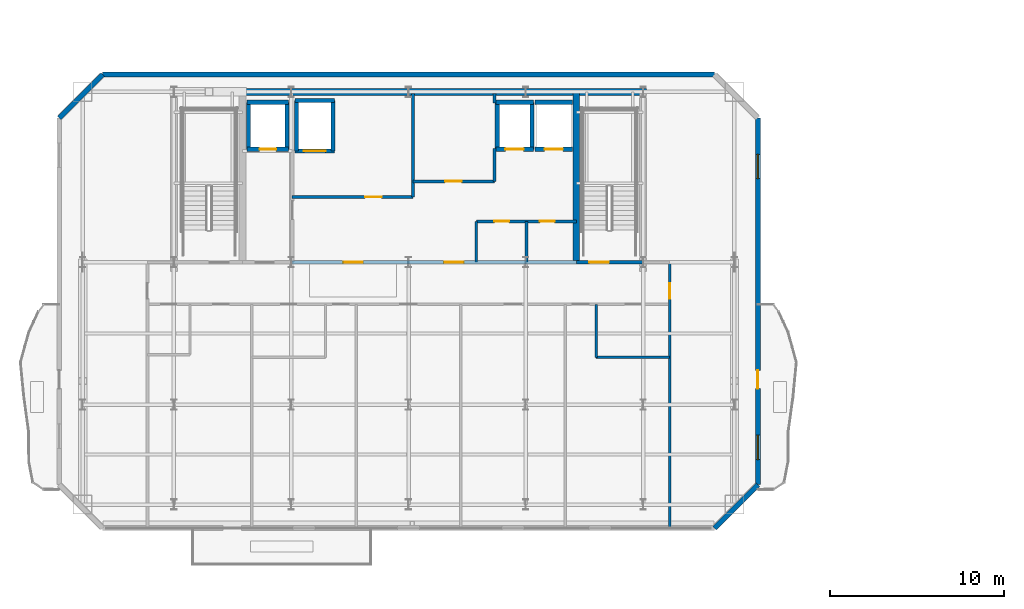
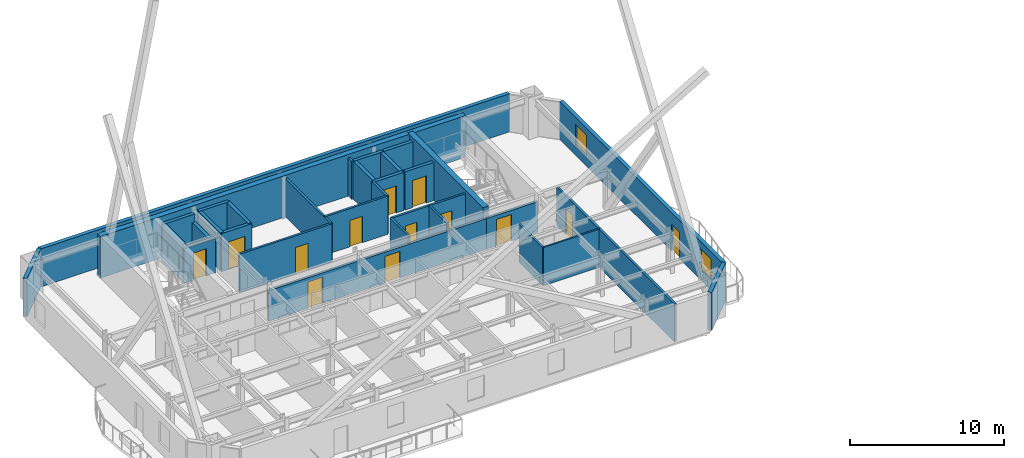
# One storey, part 11 of 19: 33 walls, 13 doors, 2 windows, 15 openings.
"""IFC4 building model written with IfcOpenShell, lengths in metres."""

from ifc_helpers import new_model, si_unit, direction, frame, frame_2d, origin, place, context, subcontext, project, spatial, rectangle, extrude, material, layer, layer_set, type_object, element, fill, save


model = new_model("IFC4")

# Units and contexts
model_context = context("Model", 3, precision=1e-05, world=origin(), true_north=direction((0.0, 1.0)))
body_context = subcontext(model_context, "Body", "Model", "MODEL_VIEW")
ifc_project = project(units=[si_unit("LENGTHUNIT", "METRE"), si_unit("AREAUNIT", "SQUARE_METRE"), si_unit("VOLUMEUNIT", "CUBIC_METRE"), si_unit("PLANEANGLEUNIT", "RADIAN"), si_unit("MASSUNIT", "GRAM", prefix="KILO")], contexts=[model_context])

# Site, building, storey
site_placement = place(None, origin())
site = spatial("IfcSite", under=ifc_project, at=site_placement, CompositionType="ELEMENT")
building_placement = place(site_placement, origin())
building = spatial("IfcBuilding", under=site, at=building_placement, Name="Haevon Station Towers", CompositionType="ELEMENT")
storey_placement = place(building_placement, frame((0.0, 0.0, 218.699951171875)))
storey = spatial("IfcBuildingStorey", under=building, at=storey_placement, Name="L60", CompositionType="ELEMENT", Elevation=218.699951171875)

# Wall, opening, door
ifc_material_1 = material(Name="Gypsum board on steel stud", Category="steel")
ifc_layer_1 = layer(ifc_material_1, 0.199951171875)
ifc_layer_set_1 = layer_set([ifc_layer_1], Name="Gypsum board on steel stud")
wall_type_1 = type_object("IfcWallType", Name="WL-COR200", PredefinedType="PARTITIONING", material=ifc_layer_set_1)
wall_1_placement = place(storey_placement, frame((47.14990234375, 38.199951171875, 0.0), z_axis=(0.0, 0.0, 1.0), x_axis=(1.0, 0.0, 0.0)))
wall_1 = element("IfcWall", 1, at=wall_1_placement, inside=storey, type_object=wall_type_1, Name="WL-ST-ST2-L60", PredefinedType="PARTITIONING", context=body_context, shape_type="SweptSolid", body=[
    extrude(rectangle(XDim=3.85009765625, YDim=0.199951171875, at=frame_2d((1.925048828125, 0.0))), origin(), (0.0, 0.0, 1.0), 2.429931640625),
])
opening_1_placement = place(wall_1_placement, frame((0.75, 0.0, 0.0)))
opening_1 = element("IfcOpeningElement", 2, at=opening_1_placement, cuts=wall_1, Name="Opening DR-ST-ST2-L60", PredefinedType="OPENING", context=body_context, shape_type="SweptSolid", body=[
    extrude(rectangle(XDim=1.1201171875, YDim=2.10009765625, at=frame_2d((0.56005859375, 1.050048828125))), frame((0.0, 0.10986328125, 0.0), z_axis=(0.0, -1.0, 0.0), x_axis=(1.0, 0.0, 0.0)), (0.0, 0.0, 1.0), 0.219970703125),
])
ifc_material_2 = material(Name="Engineered oak timber", Category="wood")
door_type_1 = type_object("IfcDoorType", Name="DR-ST-1120", OperationType="NOTDEFINED", PredefinedType="DOOR", material=ifc_material_2)
door_1_placement = place(opening_1_placement, origin())
door_1 = element("IfcDoor", 3, at=door_1_placement, inside=storey, type_object=door_type_1, Name="L60 Escape Stair ST2 Fire Door", OperationType="SINGLE_SWING_RIGHT", OverallHeight=2.10009765625, OverallWidth=1.1201171875, PredefinedType="DOOR", context=body_context, shape_type="SweptSolid", body=[
    extrude(rectangle(XDim=1.1201171875, YDim=2.10009765625, at=frame_2d((0.56005859375, 1.050048828125))), frame((0.0, 0.02490234375, 0.0), z_axis=(0.0, -1.0, 0.0), x_axis=(1.0, 0.0, 0.0)), (0.0, 0.0, 1.0), 0.050048828125),
])
fill(opening_1, door_1)

# Wall, openings, doors
wall_2_placement = place(storey_placement, frame((30.800048828125, 38.199951171875, 0.0), z_axis=(0.0, 0.0, 1.0), x_axis=(1.0, 0.0, 0.0)))
wall_2 = element("IfcWall", 4, at=wall_2_placement, inside=storey, type_object=wall_type_1, Name="WL-T1CLB-L60", PredefinedType="PARTITIONING", context=body_context, shape_type="SweptSolid", body=[
    extrude(rectangle(XDim=16.349853515625, YDim=0.199951171875, at=frame_2d((8.1748046875, 0.0))), origin(), (0.0, 0.0, 1.0), 2.429931640625),
])
opening_2_placement = place(wall_2_placement, frame((2.949951171875, 0.0, 0.0)))
opening_2 = element("IfcOpeningElement", 5, at=opening_2_placement, cuts=wall_2, Name="Opening DR-T1CLB-L60-1", PredefinedType="OPENING", context=body_context, shape_type="SweptSolid", body=[
    extrude(rectangle(XDim=1.1201171875, YDim=2.10009765625, at=frame_2d((0.56005859375, 1.050048828125))), frame((0.0, 0.10986328125, 0.0), z_axis=(0.0, -1.0, 0.0), x_axis=(1.0, 0.0, 0.0)), (0.0, 0.0, 1.0), 0.219970703125),
])
opening_3_placement = place(wall_2_placement, frame((8.75, 0.0, 0.0)))
opening_3 = element("IfcOpeningElement", 6, at=opening_3_placement, cuts=wall_2, Name="Opening DR-T1CLB-L60-2", PredefinedType="OPENING", context=body_context, shape_type="SweptSolid", body=[
    extrude(rectangle(XDim=1.1201171875, YDim=2.10009765625, at=frame_2d((0.56005859375, 1.050048828125))), frame((0.0, 0.10986328125, 0.0), z_axis=(0.0, -1.0, 0.0), x_axis=(1.0, 0.0, 0.0)), (0.0, 0.0, 1.0), 0.219970703125),
])
door_2_placement = place(opening_2_placement, origin())
door_2 = element("IfcDoor", 7, at=door_2_placement, inside=storey, type_object=door_type_1, Name="L60 Tower 1 Core Lift Lobby Door 1", OperationType="SINGLE_SWING_LEFT", OverallHeight=2.10009765625, OverallWidth=1.1201171875, PredefinedType="DOOR", context=body_context, shape_type="SweptSolid", body=[
    extrude(rectangle(XDim=1.1201171875, YDim=2.10009765625, at=frame_2d((0.56005859375, 1.050048828125))), frame((0.0, 0.02490234375, 0.0), z_axis=(0.0, -1.0, 0.0), x_axis=(1.0, 0.0, 0.0)), (0.0, 0.0, 1.0), 0.050048828125),
])
fill(opening_2, door_2)
door_3_placement = place(opening_3_placement, origin())
door_3 = element("IfcDoor", 8, at=door_3_placement, inside=storey, type_object=door_type_1, Name="L60 Tower 1 Core Lift Lobby Door 2", OperationType="SINGLE_SWING_RIGHT", OverallHeight=2.10009765625, OverallWidth=1.1201171875, PredefinedType="DOOR", context=body_context, shape_type="SweptSolid", body=[
    extrude(rectangle(XDim=1.1201171875, YDim=2.10009765625, at=frame_2d((0.56005859375, 1.050048828125))), frame((0.0, 0.02490234375, 0.0), z_axis=(0.0, -1.0, 0.0), x_axis=(1.0, 0.0, 0.0)), (0.0, 0.0, 1.0), 0.050048828125),
])
fill(opening_3, door_3)

# Walls
ifc_material_3 = material(Name="Concrete C60/75", Category="concrete")
ifc_layer_2 = layer(ifc_material_3, 0.39990234375)
ifc_layer_set_2 = layer_set([ifc_layer_2], Name="Concrete C60/75")
wall_type_2 = type_object("IfcWallType", Name="WL-CR400", PredefinedType="SHEAR", material=ifc_layer_set_2)
wall_3_placement = place(storey_placement, frame((23.800048828125, 48.0, 0.0), z_axis=(0.0, 0.0, 1.0), x_axis=(1.0, 0.0, 0.0)))
element("IfcWall", 9, at=wall_3_placement, inside=storey, type_object=wall_type_2, Name="WL-T1CR-L60-N", PredefinedType="SHEAR", context=body_context, shape_type="SweptSolid", body=[
    extrude(rectangle(XDim=27.39990234375, YDim=0.39990234375, at=frame_2d((13.699951171875, 0.0))), origin(), (0.0, 0.0, 1.0), 3.300048828125),
])
wall_4_placement = place(storey_placement, frame((47.14990234375, 38.199951171875, 0.0), z_axis=(0.0, 0.0, 1.0), x_axis=(0.0, 1.0, 0.0)))
element("IfcWall", 10, at=wall_4_placement, inside=storey, type_object=wall_type_2, Name="WL-T1CR-L60-M2", PredefinedType="SHEAR", context=body_context, shape_type="SweptSolid", body=[
    extrude(rectangle(XDim=9.800048828125, YDim=0.39990234375, at=frame_2d((4.89990234375, 0.0))), origin(), (0.0, 0.0, 1.0), 3.300048828125),
])
ifc_material_4 = material(Name="Precast concrete C45/55", Category="concrete")
ifc_layer_3 = layer(ifc_material_4, 0.280029296875)
ifc_layer_set_3 = layer_set([ifc_layer_3], Name="Precast concrete C45/55")
wall_type_3 = type_object("IfcWallType", Name="WL-EXT-PIER280", PredefinedType="SOLIDWALL", material=ifc_layer_set_3)
wall_5_placement = place(storey_placement, frame((17.39990234375, 46.5, 0.0), z_axis=(0.0, 0.0, 1.0), x_axis=(0.707106781187, 0.707106781187, 0.0)))
element("IfcWall", 11, at=wall_5_placement, inside=storey, type_object=wall_type_3, Name="WL-T1-L60-NWC", PredefinedType="SOLIDWALL", context=body_context, shape_type="SweptSolid", body=[
    extrude(rectangle(XDim=3.53564453125, YDim=0.280029296875, at=frame_2d((1.767822265625, 0.0))), origin(), (0.0, 0.0, 1.0), 3.030029296875),
])
wall_6_placement = place(storey_placement, frame((19.89990234375, 49.0, 0.0), z_axis=(0.0, 0.0, 1.0), x_axis=(1.0, 0.0, 0.0)))
element("IfcWall", 12, at=wall_6_placement, inside=storey, type_object=wall_type_3, Name="WL-T1-L60-N", PredefinedType="SOLIDWALL", context=body_context, shape_type="SweptSolid", body=[
    extrude(rectangle(XDim=35.2001953125, YDim=0.280029296875, at=frame_2d((17.60009765625, 0.0))), origin(), (0.0, 0.0, 1.0), 3.030029296875),
])

# Wall, openings, door, windows
wall_7_placement = place(storey_placement, frame((57.60009765625, 46.5, 0.0), z_axis=(0.0, 0.0, 1.0), x_axis=(0.0, -1.0, 0.0)))
wall_7 = element("IfcWall", 13, at=wall_7_placement, inside=storey, type_object=wall_type_3, Name="WL-T1-L60-E", PredefinedType="SOLIDWALL", context=body_context, shape_type="SweptSolid", body=[
    extrude(rectangle(XDim=21.10009765625, YDim=0.280029296875, at=frame_2d((10.550048828125, 0.0))), origin(), (0.0, 0.0, 1.0), 3.030029296875),
])
opening_4_placement = place(wall_7_placement, frame((14.52490234375, 0.0, 0.0)))
opening_4 = element("IfcOpeningElement", 14, at=opening_4_placement, cuts=wall_7, Name="Opening DR-T1-SCAL-L60-E", PredefinedType="OPENING", context=body_context, shape_type="SweptSolid", body=[
    extrude(rectangle(XDim=1.050048828125, YDim=2.10009765625, at=frame_2d((0.52490234375, 1.050048828125))), frame((0.0, 0.14990234375, 0.0), z_axis=(0.0, -1.0, 0.0), x_axis=(1.0, 0.0, 0.0)), (0.0, 0.0, 1.0), 0.300048828125),
])
opening_5_placement = place(wall_7_placement, frame((2.093017578125, 0.0, 0.800048828125)))
opening_5 = element("IfcOpeningElement", 15, at=opening_5_placement, cuts=wall_7, Name="Opening WN-END140", PredefinedType="OPENING", context=body_context, shape_type="SweptSolid", body=[
    extrude(rectangle(XDim=1.39990234375, YDim=1.64990234375, at=frame_2d((0.699951171875, 0.824951171875))), frame((0.0, 0.14990234375, 0.0), z_axis=(0.0, -1.0, 0.0), x_axis=(1.0, 0.0, 0.0)), (0.0, 0.0, 1.0), 0.300048828125),
])
opening_6_placement = place(wall_7_placement, frame((18.253662109375, 0.0, 0.800048828125)))
opening_6 = element("IfcOpeningElement", 16, at=opening_6_placement, cuts=wall_7, Name="Opening WN-END140", PredefinedType="OPENING", context=body_context, shape_type="SweptSolid", body=[
    extrude(rectangle(XDim=1.39990234375, YDim=1.64990234375, at=frame_2d((0.699951171875, 0.824951171875))), frame((0.0, 0.14990234375, 0.0), z_axis=(0.0, -1.0, 0.0), x_axis=(1.0, 0.0, 0.0)), (0.0, 0.0, 1.0), 0.300048828125),
])
ifc_material_5 = material(Name="Thermally broken anodised aluminium and laminated safety glass", Category="aluminium")
door_type_2 = type_object("IfcDoorType", Name="DR-BALC-1050", OperationType="NOTDEFINED", PredefinedType="DOOR", material=ifc_material_5)
door_4_placement = place(opening_4_placement, origin())
door_4 = element("IfcDoor", 17, at=door_4_placement, inside=storey, type_object=door_type_2, Name="Tower 1 L60 East Scalloped Balcony Door", OperationType="SINGLE_SWING_RIGHT", OverallHeight=2.10009765625, OverallWidth=1.050048828125, PredefinedType="DOOR", context=body_context, shape_type="SweptSolid", body=[
    extrude(rectangle(XDim=1.050048828125, YDim=2.10009765625, at=frame_2d((0.52490234375, 1.050048828125))), frame((0.0, 0.02490234375, 0.0), z_axis=(0.0, -1.0, 0.0), x_axis=(1.0, 0.0, 0.0)), (0.0, 0.0, 1.0), 0.050048828125),
])
fill(opening_4, door_4)
ifc_material_6 = material(Name="Low-E triple glazing in thermally broken aluminium", Category="aluminium")
window_type = type_object("IfcWindowType", Name="WN-END140", PartitioningType="SINGLE_PANEL", PredefinedType="WINDOW", material=ifc_material_6)
window_1_placement = place(opening_5_placement, origin())
window_1 = element("IfcWindow", 18, at=window_1_placement, inside=storey, type_object=window_type, Name="WN-T1-L60-E01", OverallHeight=1.64990234375, OverallWidth=1.39990234375, PartitioningType="SINGLE_PANEL", PredefinedType="WINDOW", context=body_context, shape_type="SweptSolid", body=[
    extrude(rectangle(XDim=1.39990234375, YDim=1.64990234375, at=frame_2d((0.699951171875, 0.824951171875))), frame((0.0, 0.030029296875, 0.0), z_axis=(0.0, -1.0, 0.0), x_axis=(1.0, 0.0, 0.0)), (0.0, 0.0, 1.0), 0.06005859375),
])
fill(opening_5, window_1)
window_2_placement = place(opening_6_placement, origin())
window_2 = element("IfcWindow", 19, at=window_2_placement, inside=storey, type_object=window_type, Name="WN-T1-L60-E02", OverallHeight=1.64990234375, OverallWidth=1.39990234375, PartitioningType="SINGLE_PANEL", PredefinedType="WINDOW", context=body_context, shape_type="SweptSolid", body=[
    extrude(rectangle(XDim=1.39990234375, YDim=1.64990234375, at=frame_2d((0.699951171875, 0.824951171875))), frame((0.0, 0.030029296875, 0.0), z_axis=(0.0, -1.0, 0.0), x_axis=(1.0, 0.0, 0.0)), (0.0, 0.0, 1.0), 0.06005859375),
])
fill(opening_6, window_2)

# Walls
wall_8_placement = place(storey_placement, frame((57.60009765625, 25.39990234375, 0.0), z_axis=(0.0, 0.0, 1.0), x_axis=(-0.707106781187, -0.707106781187, 0.0)))
element("IfcWall", 20, at=wall_8_placement, inside=storey, type_object=wall_type_3, Name="WL-T1-L60-SEC", PredefinedType="SOLIDWALL", context=body_context, shape_type="SweptSolid", body=[
    extrude(rectangle(XDim=3.53564453125, YDim=0.280029296875, at=frame_2d((1.767822265625, 0.0))), origin(), (0.0, 0.0, 1.0), 3.030029296875),
])
ifc_layer_4 = layer(ifc_material_1, 0.125)
ifc_layer_set_4 = layer_set([ifc_layer_4], Name="Gypsum board on steel stud")
wall_type_4 = type_object("IfcWallType", Name="WL-PRT125", PredefinedType="PARTITIONING", material=ifc_layer_set_4)
wall_9_placement = place(storey_placement, frame((48.294921875, 32.72998046875, 0.0), z_axis=(0.0, 0.0, 1.0), x_axis=(1.0, 0.0, 0.0)))
element("IfcWall", 21, at=wall_9_placement, inside=storey, type_object=wall_type_4, Name="WL-T1PT-L60-13", PredefinedType="PARTITIONING", context=body_context, shape_type="SweptSolid", body=[
    extrude(rectangle(XDim=4.22998046875, YDim=0.125, at=frame_2d((2.114990234375, 0.0))), origin(), (0.0, 0.0, 1.0), 3.030029296875),
])
ifc_layer_5 = layer(ifc_material_1, 0.139892578125)
ifc_layer_set_5 = layer_set([ifc_layer_5], Name="Gypsum board on steel stud")
wall_type_5 = type_object("IfcWallType", Name="WL-PRT140", PredefinedType="PARTITIONING", material=ifc_layer_set_5)
wall_10_placement = place(storey_placement, frame((48.294921875, 32.72998046875, 0.0), z_axis=(0.0, 0.0, 1.0), x_axis=(0.0, 1.0, 0.0)))
element("IfcWall", 22, at=wall_10_placement, inside=storey, type_object=wall_type_5, Name="WL-T1PT-L60-14", PredefinedType="PARTITIONING", context=body_context, shape_type="SweptSolid", body=[
    extrude(rectangle(XDim=3.050048828125, YDim=0.139892578125, at=frame_2d((1.52490234375, 0.0))), origin(), (0.0, 0.0, 1.0), 3.030029296875),
])

# Wall, opening, door
ifc_layer_6 = layer(ifc_material_1, 0.159912109375)
ifc_layer_set_6 = layer_set([ifc_layer_6], Name="Gypsum board on steel stud")
wall_type_6 = type_object("IfcWallType", Name="WL-PRT160", PredefinedType="PARTITIONING", material=ifc_layer_set_6)
wall_11_placement = place(storey_placement, frame((30.800048828125, 41.949951171875, 0.0), z_axis=(0.0, 0.0, 1.0), x_axis=(1.0, 0.0, 0.0)))
wall_11 = element("IfcWall", 23, at=wall_11_placement, inside=storey, type_object=wall_type_6, Name="WL-T1CW-L60-01", PredefinedType="PARTITIONING", context=body_context, shape_type="SweptSolid", body=[
    extrude(rectangle(XDim=6.949951171875, YDim=0.159912109375, at=frame_2d((3.47509765625, 0.0))), origin(), (0.0, 0.0, 1.0), 3.030029296875),
])
opening_7_placement = place(wall_11_placement, frame((4.199951171875, 0.0, 0.0)))
opening_7 = element("IfcOpeningElement", 24, at=opening_7_placement, cuts=wall_11, Name="Opening DR-WL-T1CW-L60-01-1", PredefinedType="OPENING", context=body_context, shape_type="SweptSolid", body=[
    extrude(rectangle(XDim=0.949951171875, YDim=2.10009765625, at=frame_2d((0.47509765625, 1.050048828125))), frame((0.0, 0.08984375, 0.0), z_axis=(0.0, -1.0, 0.0), x_axis=(1.0, 0.0, 0.0)), (0.0, 0.0, 1.0), 0.179931640625),
])
door_type_3 = type_object("IfcDoorType", Name="DR-FD60-950", OperationType="NOTDEFINED", PredefinedType="DOOR", material=ifc_material_2)
door_5_placement = place(opening_7_placement, origin())
door_5 = element("IfcDoor", 25, at=door_5_placement, inside=storey, type_object=door_type_3, Name="L60 Tower 1 Core Room Door 1-1", OperationType="SINGLE_SWING_RIGHT", OverallHeight=2.10009765625, OverallWidth=0.949951171875, PredefinedType="DOOR", context=body_context, shape_type="SweptSolid", body=[
    extrude(rectangle(XDim=0.949951171875, YDim=2.10009765625, at=frame_2d((0.47509765625, 1.050048828125))), frame((0.0, 0.02490234375, 0.0), z_axis=(0.0, -1.0, 0.0), x_axis=(1.0, 0.0, 0.0)), (0.0, 0.0, 1.0), 0.050048828125),
])
fill(opening_7, door_5)

# Wall
wall_12_placement = place(storey_placement, frame((37.75, 41.949951171875, 0.0), z_axis=(0.0, 0.0, 1.0), x_axis=(0.0, 1.0, 0.0)))
element("IfcWall", 26, at=wall_12_placement, inside=storey, type_object=wall_type_6, Name="WL-T1CW-L60-02", PredefinedType="PARTITIONING", context=body_context, shape_type="SweptSolid", body=[
    extrude(rectangle(XDim=5.949951171875, YDim=0.159912109375, at=frame_2d((2.97509765625, 0.0))), origin(), (0.0, 0.0, 1.0), 3.030029296875),
])

# Wall, opening, door
wall_13_placement = place(storey_placement, frame((37.75, 42.85009765625, 0.0), z_axis=(0.0, 0.0, 1.0), x_axis=(1.0, 0.0, 0.0)))
wall_13 = element("IfcWall", 27, at=wall_13_placement, inside=storey, type_object=wall_type_6, Name="WL-T1CW-L60-03", PredefinedType="PARTITIONING", context=body_context, shape_type="SweptSolid", body=[
    extrude(rectangle(XDim=4.699951171875, YDim=0.159912109375, at=frame_2d((2.35009765625, 0.0))), origin(), (0.0, 0.0, 1.0), 3.030029296875),
])
opening_8_placement = place(wall_13_placement, frame((1.85009765625, 0.0, 0.0)))
opening_8 = element("IfcOpeningElement", 28, at=opening_8_placement, cuts=wall_13, Name="Opening DR-WL-T1CW-L60-03-1", PredefinedType="OPENING", context=body_context, shape_type="SweptSolid", body=[
    extrude(rectangle(XDim=0.949951171875, YDim=2.10009765625, at=frame_2d((0.47509765625, 1.050048828125))), frame((0.0, 0.08984375, 0.0), z_axis=(0.0, -1.0, 0.0), x_axis=(1.0, 0.0, 0.0)), (0.0, 0.0, 1.0), 0.179931640625),
])
door_6_placement = place(opening_8_placement, origin())
door_6 = element("IfcDoor", 29, at=door_6_placement, inside=storey, type_object=door_type_3, Name="L60 Tower 1 Core Room Door 3-1", OperationType="SINGLE_SWING_LEFT", OverallHeight=2.10009765625, OverallWidth=0.949951171875, PredefinedType="DOOR", context=body_context, shape_type="SweptSolid", body=[
    extrude(rectangle(XDim=0.949951171875, YDim=2.10009765625, at=frame_2d((0.47509765625, 1.050048828125))), frame((0.0, 0.02490234375, 0.0), z_axis=(0.0, -1.0, 0.0), x_axis=(1.0, 0.0, 0.0)), (0.0, 0.0, 1.0), 0.050048828125),
])
fill(opening_8, door_6)

# Walls
wall_14_placement = place(storey_placement, frame((42.449951171875, 42.85009765625, 0.0), z_axis=(0.0, 0.0, 1.0), x_axis=(0.0, 1.0, 0.0)))
element("IfcWall", 30, at=wall_14_placement, inside=storey, type_object=wall_type_6, Name="WL-T1CW-L60-04", PredefinedType="PARTITIONING", context=body_context, shape_type="SweptSolid", body=[
    extrude(rectangle(XDim=1.89990234375, YDim=0.159912109375, at=frame_2d((0.949951171875, 0.0))), origin(), (0.0, 0.0, 1.0), 3.030029296875),
])
wall_15_placement = place(storey_placement, frame((42.449951171875, 47.35009765625, 0.0), z_axis=(0.0, 0.0, 1.0), x_axis=(0.0, 1.0, 0.0)))
element("IfcWall", 31, at=wall_15_placement, inside=storey, type_object=wall_type_6, Name="WL-T1CW-L60-05", PredefinedType="PARTITIONING", context=body_context, shape_type="SweptSolid", body=[
    extrude(rectangle(XDim=0.5498046875, YDim=0.159912109375, at=frame_2d((0.27490234375, 0.0))), origin(), (0.0, 0.0, 1.0), 3.030029296875),
])
for number, where, z_axis, x_axis, name in (
    (32, (41.39990234375, 38.199951171875, 0.0), (0.0, 0.0, 1.0), (0.0, 1.0, 0.0), "WL-T1CW-L60-06"),
    (33, (44.280029296875, 38.199951171875, 0.0), (0.0, 0.0, 1.0), (0.0, 1.0, 0.0), "WL-T1CW-L60-07"),
):
    element("IfcWall", number, at=place(storey_placement, frame(where, z_axis=z_axis, x_axis=x_axis)), inside=storey, type_object=wall_type_6, Name=name, PredefinedType="PARTITIONING", context=body_context, shape_type="SweptSolid", body=[
        extrude(rectangle(XDim=2.35009765625, YDim=0.159912109375, at=frame_2d((1.175048828125, 0.0))), origin(), (0.0, 0.0, 1.0), 3.030029296875),
    ])

# Wall, openings, doors
wall_16_placement = place(storey_placement, frame((41.39990234375, 40.550048828125, 0.0), z_axis=(0.0, 0.0, 1.0), x_axis=(1.0, 0.0, 0.0)))
wall_16 = element("IfcWall", 34, at=wall_16_placement, inside=storey, type_object=wall_type_6, Name="WL-T1CW-L60-08", PredefinedType="PARTITIONING", context=body_context, shape_type="SweptSolid", body=[
    extrude(rectangle(XDim=5.75, YDim=0.159912109375, at=frame_2d((2.875, 0.0))), origin(), (0.0, 0.0, 1.0), 3.030029296875),
])
opening_9_placement = place(wall_16_placement, frame((1.034912109375, 0.0, 0.0)))
opening_9 = element("IfcOpeningElement", 35, at=opening_9_placement, cuts=wall_16, Name="Opening DR-WL-T1CW-L60-08-1", PredefinedType="OPENING", context=body_context, shape_type="SweptSolid", body=[
    extrude(rectangle(XDim=0.85009765625, YDim=2.050048828125, at=frame_2d((0.425048828125, 1.02490234375))), frame((0.0, 0.08984375, 0.0), z_axis=(0.0, -1.0, 0.0), x_axis=(1.0, 0.0, 0.0)), (0.0, 0.0, 1.0), 0.179931640625),
])
opening_10_placement = place(wall_16_placement, frame((3.655029296875, 0.0, 0.0)))
opening_10 = element("IfcOpeningElement", 36, at=opening_10_placement, cuts=wall_16, Name="Opening DR-WL-T1CW-L60-08-2", PredefinedType="OPENING", context=body_context, shape_type="SweptSolid", body=[
    extrude(rectangle(XDim=0.85009765625, YDim=2.050048828125, at=frame_2d((0.425048828125, 1.02490234375))), frame((0.0, 0.08984375, 0.0), z_axis=(0.0, -1.0, 0.0), x_axis=(1.0, 0.0, 0.0)), (0.0, 0.0, 1.0), 0.179931640625),
])
door_type_4 = type_object("IfcDoorType", Name="DR-FD30-850", OperationType="NOTDEFINED", PredefinedType="DOOR", material=ifc_material_2)
door_7_placement = place(opening_9_placement, origin())
door_7 = element("IfcDoor", 37, at=door_7_placement, inside=storey, type_object=door_type_4, Name="L60 Tower 1 Core Room Door 8-1", OperationType="SINGLE_SWING_RIGHT", OverallHeight=2.050048828125, OverallWidth=0.85009765625, PredefinedType="DOOR", context=body_context, shape_type="SweptSolid", body=[
    extrude(rectangle(XDim=0.85009765625, YDim=2.050048828125, at=frame_2d((0.425048828125, 1.02490234375))), frame((0.0, 0.02490234375, 0.0), z_axis=(0.0, -1.0, 0.0), x_axis=(1.0, 0.0, 0.0)), (0.0, 0.0, 1.0), 0.050048828125),
])
fill(opening_9, door_7)
door_8_placement = place(opening_10_placement, origin())
door_8 = element("IfcDoor", 38, at=door_8_placement, inside=storey, type_object=door_type_4, Name="L60 Tower 1 Core Room Door 8-2", OperationType="SINGLE_SWING_LEFT", OverallHeight=2.050048828125, OverallWidth=0.85009765625, PredefinedType="DOOR", context=body_context, shape_type="SweptSolid", body=[
    extrude(rectangle(XDim=0.85009765625, YDim=2.050048828125, at=frame_2d((0.425048828125, 1.02490234375))), frame((0.0, 0.02490234375, 0.0), z_axis=(0.0, -1.0, 0.0), x_axis=(1.0, 0.0, 0.0)), (0.0, 0.0, 1.0), 0.050048828125),
])
fill(opening_10, door_8)

# Wall, opening, door
wall_17_placement = place(storey_placement, frame((52.52490234375, 22.89990234375, 0.0), z_axis=(0.0, 0.0, 1.0), x_axis=(0.0, 1.0, 0.0)))
wall_17 = element("IfcWall", 39, at=wall_17_placement, inside=storey, type_object=wall_type_6, Name="WL-T1PT-L60-04", PredefinedType="PARTITIONING", context=body_context, shape_type="SweptSolid", body=[
    extrude(rectangle(XDim=15.300048828125, YDim=0.159912109375, at=frame_2d((7.64990234375, 0.0))), origin(), (0.0, 0.0, 1.0), 3.030029296875),
])
opening_11_placement = place(wall_17_placement, frame((13.199951171875, 0.0, 0.0)))
opening_11 = element("IfcOpeningElement", 40, at=opening_11_placement, cuts=wall_17, Name="Opening DR-WL-T1PT-L60-04-01", PredefinedType="OPENING", context=body_context, shape_type="SweptSolid", body=[
    extrude(rectangle(XDim=0.89990234375, YDim=2.050048828125, at=frame_2d((0.449951171875, 1.02490234375))), frame((0.0, 0.08984375, 0.0), z_axis=(0.0, -1.0, 0.0), x_axis=(1.0, 0.0, 0.0)), (0.0, 0.0, 1.0), 0.179931640625),
])
door_type_5 = type_object("IfcDoorType", Name="DR-INT-900", OperationType="NOTDEFINED", PredefinedType="DOOR", material=ifc_material_2)
door_9_placement = place(opening_11_placement, origin())
door_9 = element("IfcDoor", 41, at=door_9_placement, inside=storey, type_object=door_type_5, Name="L60 Tower 1 Room Door 4-1", OperationType="SINGLE_SWING_LEFT", OverallHeight=2.050048828125, OverallWidth=0.89990234375, PredefinedType="DOOR", context=body_context, shape_type="SweptSolid", body=[
    extrude(rectangle(XDim=0.89990234375, YDim=2.050048828125, at=frame_2d((0.449951171875, 1.02490234375))), frame((0.0, 0.02490234375, 0.0), z_axis=(0.0, -1.0, 0.0), x_axis=(1.0, 0.0, 0.0)), (0.0, 0.0, 1.0), 0.050048828125),
])
fill(opening_11, door_9)

ifc_material_7 = material(Name="Concrete C40/50", Category="concrete")
ifc_layer_7 = layer(ifc_material_7, 0.239990234375)
ifc_layer_set_7 = layer_set([ifc_layer_7], Name="Concrete C40/50")
wall_type_7 = type_object("IfcWallType", Name="WL-SHF240", PredefinedType="PARTITIONING", material=ifc_layer_set_7)
wall_18_placement = place(storey_placement, frame((28.219970703125, 44.699951171875, 0.0), z_axis=(0.0, 0.0, 1.0), x_axis=(1.0, 0.0, 0.0)))
wall_18 = element("IfcWall", 42, at=wall_18_placement, inside=storey, type_object=wall_type_7, Name="WL-SHF-FL1-L60", PredefinedType="PARTITIONING", context=body_context, shape_type="SweptSolid", body=[
    extrude(rectangle(XDim=2.360107421875, YDim=0.239990234375, at=frame_2d((1.18017578125, 0.0))), origin(), (0.0, 0.0, 1.0), 2.72998046875),
])
opening_12_placement = place(wall_18_placement, frame((0.705078125, 0.0, 0.0)))
opening_12 = element("IfcOpeningElement", 43, at=opening_12_placement, cuts=wall_18, Name="Opening LD-FL1-L60", PredefinedType="OPENING", context=body_context, shape_type="SweptSolid", body=[
    extrude(rectangle(XDim=0.949951171875, YDim=2.14990234375, at=frame_2d((0.47509765625, 1.074951171875))), frame((0.0, 0.1298828125, 0.0), z_axis=(0.0, -1.0, 0.0), x_axis=(1.0, 0.0, 0.0)), (0.0, 0.0, 1.0), 0.260009765625),
])
ifc_material_8 = material(Name="Stainless steel and rated core", Category="steel")
door_type_6 = type_object("IfcDoorType", Name="LD-FL950", OperationType="SLIDING_TO_LEFT", PredefinedType="DOOR", material=ifc_material_8)
door_10_placement = place(opening_12_placement, origin())
door_10 = element("IfcDoor", 44, at=door_10_placement, inside=storey, type_object=door_type_6, Name="L60 Lift FL1 Sliding Landing Door", OperationType="SLIDING_TO_LEFT", OverallHeight=2.14990234375, OverallWidth=0.949951171875, PredefinedType="DOOR", context=body_context, shape_type="SweptSolid", body=[
    extrude(rectangle(XDim=0.949951171875, YDim=2.14990234375, at=frame_2d((0.47509765625, 1.074951171875))), frame((0.0, 0.02490234375, 0.0), z_axis=(0.0, -1.0, 0.0), x_axis=(1.0, 0.0, 0.0)), (0.0, 0.0, 1.0), 0.050048828125),
])
fill(opening_12, door_10)

# Walls
wall_19_placement = place(storey_placement, frame((28.219970703125, 47.39990234375, 0.0), z_axis=(0.0, 0.0, 1.0), x_axis=(1.0, 0.0, 0.0)))
element("IfcWall", 45, at=wall_19_placement, inside=storey, type_object=wall_type_7, Name="WL-SHF-FL1-L60-N", PredefinedType="PARTITIONING", context=body_context, shape_type="SweptSolid", body=[
    extrude(rectangle(XDim=2.360107421875, YDim=0.239990234375, at=frame_2d((1.18017578125, 0.0))), origin(), (0.0, 0.0, 1.0), 3.030029296875),
])
wall_20_placement = place(storey_placement, frame((28.300048828125, 44.699951171875, 0.0), z_axis=(0.0, 0.0, 1.0), x_axis=(0.0, 1.0, 0.0)))
element("IfcWall", 46, at=wall_20_placement, inside=storey, type_object=wall_type_7, Name="WL-SHF-FL1-L60-W", PredefinedType="PARTITIONING", context=body_context, shape_type="SweptSolid", body=[
    extrude(rectangle(XDim=2.699951171875, YDim=0.239990234375, at=frame_2d((1.35009765625, 0.0))), origin(), (0.0, 0.0, 1.0), 3.030029296875),
])
wall_21_placement = place(storey_placement, frame((30.5, 44.699951171875, 0.0), z_axis=(0.0, 0.0, 1.0), x_axis=(0.0, 1.0, 0.0)))
element("IfcWall", 47, at=wall_21_placement, inside=storey, type_object=wall_type_7, Name="WL-SHF-FL1-L60-E", PredefinedType="PARTITIONING", context=body_context, shape_type="SweptSolid", body=[
    extrude(rectangle(XDim=2.699951171875, YDim=0.239990234375, at=frame_2d((1.35009765625, 0.0))), origin(), (0.0, 0.0, 1.0), 2.429931640625),
])

# Wall, opening, door
wall_22_placement = place(storey_placement, frame((30.969970703125, 44.60009765625, 0.0), z_axis=(0.0, 0.0, 1.0), x_axis=(1.0, 0.0, 0.0)))
wall_22 = element("IfcWall", 48, at=wall_22_placement, inside=storey, type_object=wall_type_7, Name="WL-SHF-SL1-L60", PredefinedType="PARTITIONING", context=body_context, shape_type="SweptSolid", body=[
    extrude(rectangle(XDim=2.260009765625, YDim=0.239990234375, at=frame_2d((1.1298828125, 0.0))), origin(), (0.0, 0.0, 1.0), 3.030029296875),
])
opening_13_placement = place(wall_22_placement, frame((0.5048828125, 0.0, 0.0)))
opening_13 = element("IfcOpeningElement", 49, at=opening_13_placement, cuts=wall_22, Name="Opening LD-SL1-L60", PredefinedType="OPENING", context=body_context, shape_type="SweptSolid", body=[
    extrude(rectangle(XDim=1.25, YDim=2.199951171875, at=frame_2d((0.625, 1.10009765625))), frame((0.0, 0.1298828125, 0.0), z_axis=(0.0, -1.0, 0.0), x_axis=(1.0, 0.0, 0.0)), (0.0, 0.0, 1.0), 0.260009765625),
])
door_type_7 = type_object("IfcDoorType", Name="LD-SL1250", OperationType="SLIDING_TO_LEFT", PredefinedType="DOOR", material=ifc_material_8)
door_11_placement = place(opening_13_placement, origin())
door_11 = element("IfcDoor", 50, at=door_11_placement, inside=storey, type_object=door_type_7, Name="L60 Lift SL1 Sliding Landing Door", OperationType="SLIDING_TO_LEFT", OverallHeight=2.199951171875, OverallWidth=1.25, PredefinedType="DOOR", context=body_context, shape_type="SweptSolid", body=[
    extrude(rectangle(XDim=1.25, YDim=2.199951171875, at=frame_2d((0.625, 1.10009765625))), frame((0.0, 0.02490234375, 0.0), z_axis=(0.0, -1.0, 0.0), x_axis=(1.0, 0.0, 0.0)), (0.0, 0.0, 1.0), 0.050048828125),
])
fill(opening_13, door_11)

# Walls
wall_23_placement = place(storey_placement, frame((30.969970703125, 47.5, 0.0), z_axis=(0.0, 0.0, 1.0), x_axis=(1.0, 0.0, 0.0)))
element("IfcWall", 51, at=wall_23_placement, inside=storey, type_object=wall_type_7, Name="WL-SHF-SL1-L60-N", PredefinedType="PARTITIONING", context=body_context, shape_type="SweptSolid", body=[
    extrude(rectangle(XDim=2.260009765625, YDim=0.239990234375, at=frame_2d((1.1298828125, 0.0))), origin(), (0.0, 0.0, 1.0), 3.030029296875),
])
for number, where, z_axis, x_axis, name in (
    (52, (31.050048828125, 44.60009765625, 0.0), (0.0, 0.0, 1.0), (0.0, 1.0, 0.0), "WL-SHF-SL1-L60-W"),
    (53, (33.14990234375, 44.60009765625, 0.0), (0.0, 0.0, 1.0), (0.0, 1.0, 0.0), "WL-SHF-SL1-L60-E"),
):
    element("IfcWall", number, at=place(storey_placement, frame(where, z_axis=z_axis, x_axis=x_axis)), inside=storey, type_object=wall_type_7, Name=name, PredefinedType="PARTITIONING", context=body_context, shape_type="SweptSolid", body=[
        extrude(rectangle(XDim=2.89990234375, YDim=0.239990234375, at=frame_2d((1.449951171875, 0.0))), origin(), (0.0, 0.0, 1.0), 3.030029296875),
    ])

# Wall, opening, door
wall_24_placement = place(storey_placement, frame((42.52001953125, 44.699951171875, 0.0), z_axis=(0.0, 0.0, 1.0), x_axis=(1.0, 0.0, 0.0)))
wall_24 = element("IfcWall", 54, at=wall_24_placement, inside=storey, type_object=wall_type_7, Name="WL-SHF-PL5-L60", PredefinedType="PARTITIONING", context=body_context, shape_type="SweptSolid", body=[
    extrude(rectangle(XDim=2.159912109375, YDim=0.239990234375, at=frame_2d((1.080078125, 0.0))), origin(), (0.0, 0.0, 1.0), 3.030029296875),
])
opening_14_placement = place(wall_24_placement, frame((0.554931640625, 0.0, 0.0)))
opening_14 = element("IfcOpeningElement", 55, at=opening_14_placement, cuts=wall_24, Name="Opening LD-PL5-L60", PredefinedType="OPENING", context=body_context, shape_type="SweptSolid", body=[
    extrude(rectangle(XDim=1.050048828125, YDim=2.14990234375, at=frame_2d((0.52490234375, 1.074951171875))), frame((0.0, 0.1298828125, 0.0), z_axis=(0.0, -1.0, 0.0), x_axis=(1.0, 0.0, 0.0)), (0.0, 0.0, 1.0), 0.260009765625),
])
door_type_8 = type_object("IfcDoorType", Name="LD-PL1050", OperationType="SLIDING_TO_LEFT", PredefinedType="DOOR", material=ifc_material_8)
door_12_placement = place(opening_14_placement, origin())
door_12 = element("IfcDoor", 56, at=door_12_placement, inside=storey, type_object=door_type_8, Name="L60 Lift PL5 Sliding Landing Door", OperationType="SLIDING_TO_LEFT", OverallHeight=2.14990234375, OverallWidth=1.050048828125, PredefinedType="DOOR", context=body_context, shape_type="SweptSolid", body=[
    extrude(rectangle(XDim=1.050048828125, YDim=2.14990234375, at=frame_2d((0.52490234375, 1.074951171875))), frame((0.0, 0.02490234375, 0.0), z_axis=(0.0, -1.0, 0.0), x_axis=(1.0, 0.0, 0.0)), (0.0, 0.0, 1.0), 0.050048828125),
])
fill(opening_14, door_12)

# Walls
wall_25_placement = place(storey_placement, frame((42.52001953125, 47.39990234375, 0.0), z_axis=(0.0, 0.0, 1.0), x_axis=(1.0, 0.0, 0.0)))
element("IfcWall", 57, at=wall_25_placement, inside=storey, type_object=wall_type_7, Name="WL-SHF-PL5-L60-N", PredefinedType="PARTITIONING", context=body_context, shape_type="SweptSolid", body=[
    extrude(rectangle(XDim=2.159912109375, YDim=0.239990234375, at=frame_2d((1.080078125, 0.0))), origin(), (0.0, 0.0, 1.0), 3.030029296875),
])
for number, where, z_axis, x_axis, name in (
    (58, (42.60009765625, 44.699951171875, 0.0), (0.0, 0.0, 1.0), (0.0, 1.0, 0.0), "WL-SHF-PL5-L60-W"),
    (59, (44.60009765625, 44.699951171875, 0.0), (0.0, 0.0, 1.0), (0.0, 1.0, 0.0), "WL-SHF-PL5-L60-E"),
):
    element("IfcWall", number, at=place(storey_placement, frame(where, z_axis=z_axis, x_axis=x_axis)), inside=storey, type_object=wall_type_7, Name=name, PredefinedType="PARTITIONING", context=body_context, shape_type="SweptSolid", body=[
        extrude(rectangle(XDim=2.699951171875, YDim=0.239990234375, at=frame_2d((1.35009765625, 0.0))), origin(), (0.0, 0.0, 1.0), 3.030029296875),
    ])

# Wall, opening, door
wall_26_placement = place(storey_placement, frame((44.77001953125, 44.699951171875, 0.0), z_axis=(0.0, 0.0, 1.0), x_axis=(1.0, 0.0, 0.0)))
wall_26 = element("IfcWall", 60, at=wall_26_placement, inside=storey, type_object=wall_type_7, Name="WL-SHF-PL6-L60", PredefinedType="PARTITIONING", context=body_context, shape_type="SweptSolid", body=[
    extrude(rectangle(XDim=2.159912109375, YDim=0.239990234375, at=frame_2d((1.080078125, 0.0))), origin(), (0.0, 0.0, 1.0), 3.030029296875),
])
opening_15_placement = place(wall_26_placement, frame((0.554931640625, 0.0, 0.0)))
opening_15 = element("IfcOpeningElement", 61, at=opening_15_placement, cuts=wall_26, Name="Opening LD-PL6-L60", PredefinedType="OPENING", context=body_context, shape_type="SweptSolid", body=[
    extrude(rectangle(XDim=1.050048828125, YDim=2.14990234375, at=frame_2d((0.52490234375, 1.074951171875))), frame((0.0, 0.1298828125, 0.0), z_axis=(0.0, -1.0, 0.0), x_axis=(1.0, 0.0, 0.0)), (0.0, 0.0, 1.0), 0.260009765625),
])
door_13_placement = place(opening_15_placement, origin())
door_13 = element("IfcDoor", 62, at=door_13_placement, inside=storey, type_object=door_type_8, Name="L60 Lift PL6 Sliding Landing Door", OperationType="SLIDING_TO_LEFT", OverallHeight=2.14990234375, OverallWidth=1.050048828125, PredefinedType="DOOR", context=body_context, shape_type="SweptSolid", body=[
    extrude(rectangle(XDim=1.050048828125, YDim=2.14990234375, at=frame_2d((0.52490234375, 1.074951171875))), frame((0.0, 0.02490234375, 0.0), z_axis=(0.0, -1.0, 0.0), x_axis=(1.0, 0.0, 0.0)), (0.0, 0.0, 1.0), 0.050048828125),
])
fill(opening_15, door_13)

# Wall
wall_27_placement = place(storey_placement, frame((44.77001953125, 47.39990234375, 0.0), z_axis=(0.0, 0.0, 1.0), x_axis=(1.0, 0.0, 0.0)))
element("IfcWall", 63, at=wall_27_placement, inside=storey, type_object=wall_type_7, Name="WL-SHF-PL6-L60-N", PredefinedType="PARTITIONING", context=body_context, shape_type="SweptSolid", body=[
    extrude(rectangle(XDim=2.159912109375, YDim=0.239990234375, at=frame_2d((1.080078125, 0.0))), origin(), (0.0, 0.0, 1.0), 3.030029296875),
])

save(model, "model.ifc")
